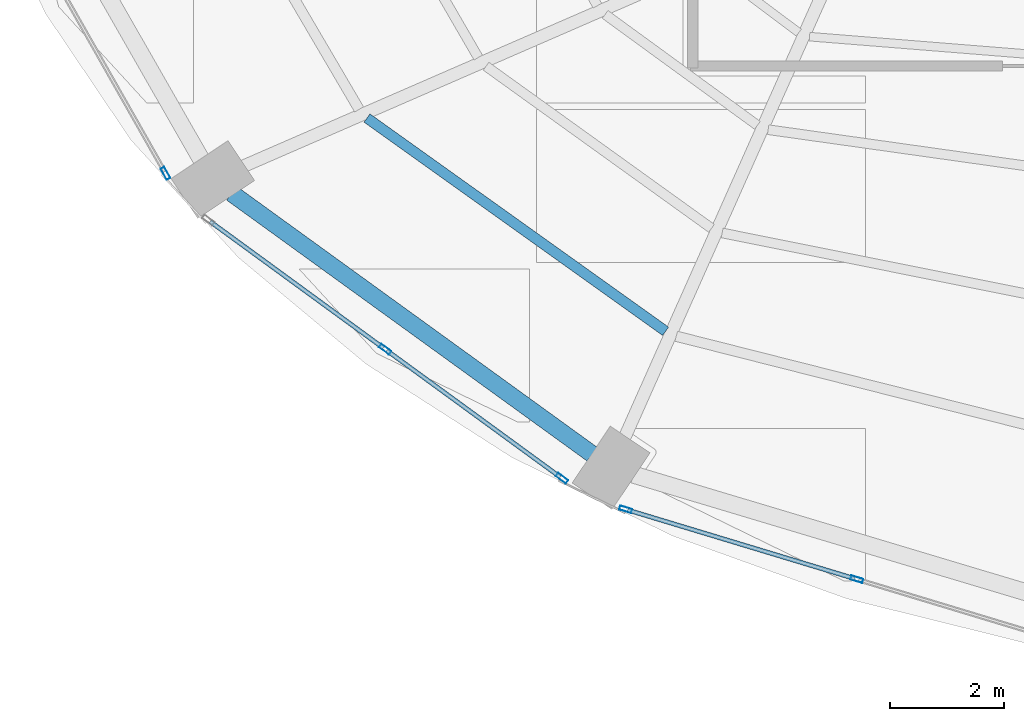
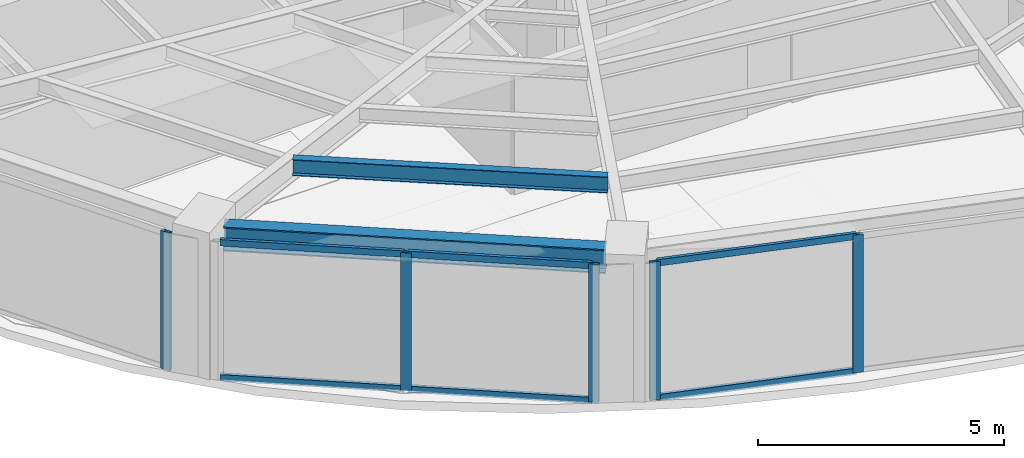
# One storey, part 2 of 24: 11 members, 2 beams, 3 elements without a shape of their own.
"""IFC4 building model written with IfcOpenShell, lengths in metres."""

from ifc_helpers import new_model, si_unit, direction, frame, origin, origin_2d, place, context, subcontext, project, spatial, hollow_rectangle, i_section, extrude, material, layer, layer_set, material_profile, profile_set, type_object, element, aggregate, save


model = new_model("IFC4")

# Units and contexts
model_context = context("Model", 3, precision=1e-05, world=origin(), true_north=direction((0.0, 1.0)))
body_context = subcontext(model_context, "Body", "Model", "MODEL_VIEW")
ifc_project = project(units=[si_unit("LENGTHUNIT", "METRE"), si_unit("AREAUNIT", "SQUARE_METRE"), si_unit("VOLUMEUNIT", "CUBIC_METRE"), si_unit("PLANEANGLEUNIT", "RADIAN"), si_unit("MASSUNIT", "GRAM", prefix="KILO")], contexts=[model_context])

# Site, building, storey
site_placement = place(None, origin())
site = spatial("IfcSite", under=ifc_project, at=site_placement, CompositionType="ELEMENT")
building_placement = place(site_placement, origin())
building = spatial("IfcBuilding", under=site, at=building_placement, Name="Lazwardi Medical Tower", CompositionType="ELEMENT")
storey_placement = place(building_placement, frame((0.0, 0.0, 96.3359375)))
storey = spatial("IfcBuildingStorey", under=building, at=storey_placement, Name="L24", CompositionType="ELEMENT", Elevation=96.3359375)

# Beams
ifc_material_1 = material(Name="Steel S355", Category="steel")
ifc_material_profile_1 = material_profile(ifc_material_1, i_section(OverallWidth=0.300048828125, OverallDepth=0.60009765625, WebThickness=0.015380859375, FlangeThickness=0.030029296875, at=origin_2d()), Name="HEB 600")
ifc_profile_set_1 = profile_set([ifc_material_profile_1], Name="Steel S355")
beam_type_1 = type_object("IfcBeamType", Name="BM-RB-Z2", PredefinedType="BEAM", material=ifc_profile_set_1)
beam_1_placement = place(storey_placement, frame((15.25439453125, 15.164794921875, 3.128173828125), z_axis=(0.81005674773, -0.586351486275, 0.0), x_axis=(0.586351486275, 0.81005674773, 0.0)))
element("IfcBeam", 1, at=beam_1_placement, inside=storey, type_object=beam_type_1, Name="Ring beam RB-03 B14 L24", PredefinedType="BEAM", context=body_context, shape_type="SweptSolid", body=[
    extrude(i_section(OverallWidth=0.300048828125, OverallDepth=0.60009765625, WebThickness=0.015380859375, FlangeThickness=0.030029296875, at=origin_2d()), origin(), (0.0, 0.0, 1.0), 7.81396484375),
])
ifc_material_profile_2 = material_profile(ifc_material_1, i_section(OverallWidth=0.179931640625, OverallDepth=0.39990234375, WebThickness=0.008544921875, FlangeThickness=0.013427734375, at=origin_2d()), Name="IPE 400")
ifc_profile_set_2 = profile_set([ifc_material_profile_2], Name="Steel S355")
beam_type_2 = type_object("IfcBeamType", Name="BM-SJ-01", PredefinedType="JOIST", material=ifc_profile_set_2)
beam_2_placement = place(storey_placement, frame((17.630615234375, 16.485595703125, 3.22802734375), z_axis=(0.813748834317, -0.581216684763, 0.0), x_axis=(0.581216684763, 0.813748834317, 0.0)))
element("IfcBeam", 2, at=beam_2_placement, inside=storey, type_object=beam_type_2, Name="Secondary joist SJ-01 R1 B14 L24", PredefinedType="JOIST", context=body_context, shape_type="SweptSolid", body=[
    extrude(i_section(OverallWidth=0.179931640625, OverallDepth=0.39990234375, WebThickness=0.008544921875, FlangeThickness=0.013427734375, at=origin_2d()), origin(), (0.0, 0.0, 1.0), 6.4423828125),
])

# Curtain wall, member
ifc_material_2 = material(Name="Anodised bronze aluminium and solar control glazing", Category="aluminium")
ifc_layer = layer(ifc_material_2, 0.195068359375)
ifc_layer_set = layer_set([ifc_layer], Name="Anodised bronze aluminium and solar control glazing")
curtain_wall_type = type_object("IfcCurtainWallType", Name="CW-SYS-03", PredefinedType="NOTDEFINED", material=ifc_layer_set)
curtain_wall_1_placement = place(storey_placement, origin())
curtain_wall_1 = element("IfcCurtainWall", 3, at=curtain_wall_1_placement, inside=storey, type_object=curtain_wall_type, Name="L24 Unitised bronze curtain wall CW-03", PredefinedType="NOTDEFINED")
ifc_material_3 = material(Name="Anodised bronze aluminium", Category="aluminium")
ifc_material_profile_3 = material_profile(ifc_material_3, hollow_rectangle(XDim=0.074951171875, YDim=0.219970703125, WallThickness=0.00390625, at=origin_2d()), Name="ALU-MULLION 220x75x4")
ifc_profile_set_3 = profile_set([ifc_material_profile_3], Name="Anodised bronze aluminium")
member_type_1 = type_object("IfcMemberType", Name="CW-MUL-01", PredefinedType="MULLION", material=ifc_profile_set_3)
member_1_placement = place(storey_placement, frame((14.0927734375, 15.51416015625, 0.0), z_axis=(0.0, 0.0, 1.0), x_axis=(0.869687265712, 0.493603140041, 0.0)))
member_1 = element("IfcMember", 4, at=member_1_placement, type_object=member_type_1, Name="CW-03 mullion 2", PredefinedType="MULLION", context=body_context, shape_type="SweptSolid", body=[
    extrude(hollow_rectangle(XDim=0.074951171875, YDim=0.219970703125, WallThickness=0.00390625, at=origin_2d()), origin(), (0.0, 0.0, 1.0), 3.427978515625),
])
aggregate(curtain_wall_1, [member_1])

# Curtain wall, members
curtain_wall_2_placement = place(storey_placement, origin())
curtain_wall_2 = element("IfcCurtainWall", 5, at=curtain_wall_2_placement, inside=storey, type_object=curtain_wall_type, Name="L24 Unitised bronze curtain wall CW-03", PredefinedType="NOTDEFINED")
member_2_placement = place(storey_placement, frame((17.948974609375, 12.42578125, 0.0), z_axis=(0.0, 0.0, 1.0), x_axis=(0.589530882802, 0.807745837639, 0.0)))
member_2 = element("IfcMember", 6, at=member_2_placement, type_object=member_type_1, Name="CW-03 mullion 2", PredefinedType="MULLION", context=body_context, shape_type="SweptSolid", body=[
    extrude(hollow_rectangle(XDim=0.074951171875, YDim=0.219970703125, WallThickness=0.00390625, at=origin_2d()), origin(), (0.0, 0.0, 1.0), 3.427978515625),
])
member_3_placement = place(storey_placement, frame((21.052734375, 10.160400390625, 0.0), z_axis=(0.0, 0.0, 1.0), x_axis=(0.589530882802, 0.807745837639, 0.0)))
member_3 = element("IfcMember", 7, at=member_3_placement, type_object=member_type_1, Name="CW-03 mullion 3", PredefinedType="MULLION", context=body_context, shape_type="SweptSolid", body=[
    extrude(hollow_rectangle(XDim=0.074951171875, YDim=0.219970703125, WallThickness=0.00390625, at=origin_2d()), origin(), (0.0, 0.0, 1.0), 3.427978515625),
])

curtain_wall_3_placement = place(storey_placement, origin())
curtain_wall_3 = element("IfcCurtainWall", 8, at=curtain_wall_3_placement, inside=storey, type_object=curtain_wall_type, Name="L24 Unitised bronze curtain wall CW-03", PredefinedType="NOTDEFINED")
member_4_placement = place(storey_placement, frame((22.171630859375, 9.614013671875, 0.0), z_axis=(0.0, 0.0, 1.0), x_axis=(0.28937381157, 0.957216170558, 0.0)))
member_4 = element("IfcMember", 9, at=member_4_placement, type_object=member_type_1, Name="CW-03 mullion 1", PredefinedType="MULLION", context=body_context, shape_type="SweptSolid", body=[
    extrude(hollow_rectangle(XDim=0.074951171875, YDim=0.219970703125, WallThickness=0.00390625, at=origin_2d()), origin(), (0.0, 0.0, 1.0), 3.427978515625),
])
member_5_placement = place(storey_placement, frame((26.230712890625, 8.386962890625, 0.0), z_axis=(0.0, 0.0, 1.0), x_axis=(0.28937381157, 0.957216170558, 0.0)))
member_5 = element("IfcMember", 10, at=member_5_placement, type_object=member_type_1, Name="CW-03 mullion 2", PredefinedType="MULLION", context=body_context, shape_type="SweptSolid", body=[
    extrude(hollow_rectangle(XDim=0.074951171875, YDim=0.219970703125, WallThickness=0.00390625, at=origin_2d()), origin(), (0.0, 0.0, 1.0), 3.427978515625),
])

# Member
ifc_material_profile_4 = material_profile(ifc_material_3, hollow_rectangle(XDim=0.074951171875, YDim=0.159912109375, WallThickness=0.00390625, at=origin_2d()), Name="ALU-TRANSOM 160x75x4")
ifc_profile_set_4 = profile_set([ifc_material_profile_4], Name="Anodised bronze aluminium")
member_type_2 = type_object("IfcMemberType", Name="CW-TRN-01", PredefinedType="USERDEFINED", material=ifc_profile_set_4)
member_6_placement = place(storey_placement, frame((14.87548828125, 14.6689453125, 0.03759765625), z_axis=(0.807731734271, -0.589550206049, 0.0), x_axis=(0.589550206049, 0.807731734271, 0.0)))
member_6 = element("IfcMember", 11, at=member_6_placement, type_object=member_type_2, Name="CW-03 transom 1.1", ObjectType="TRANSOM", PredefinedType="USERDEFINED", context=body_context, shape_type="SweptSolid", body=[
    extrude(hollow_rectangle(XDim=0.074951171875, YDim=0.159912109375, WallThickness=0.00390625, at=origin_2d()), origin(), (0.0, 0.0, 1.0), 3.767578125),
])

member_7_placement = place(storey_placement, frame((14.87548828125, 14.6689453125, 3.390625), z_axis=(0.807731734271, -0.589550206049, 0.0), x_axis=(0.589550206049, 0.807731734271, 0.0)))
member_7 = element("IfcMember", 12, at=member_7_placement, type_object=member_type_2, Name="CW-03 transom 1.2", ObjectType="TRANSOM", PredefinedType="USERDEFINED", context=body_context, shape_type="SweptSolid", body=[
    extrude(hollow_rectangle(XDim=0.074951171875, YDim=0.159912109375, WallThickness=0.00390625, at=origin_2d()), origin(), (0.0, 0.0, 1.0), 3.767578125),
])

member_8_placement = place(storey_placement, frame((17.979248046875, 12.403564453125, 0.03759765625), z_axis=(0.80776259199, -0.58950792614, 0.0), x_axis=(0.58950792614, 0.80776259199, 0.0)))
member_8 = element("IfcMember", 13, at=member_8_placement, type_object=member_type_2, Name="CW-03 transom 2.1", ObjectType="TRANSOM", PredefinedType="USERDEFINED", context=body_context, shape_type="SweptSolid", body=[
    extrude(hollow_rectangle(XDim=0.074951171875, YDim=0.159912109375, WallThickness=0.00390625, at=origin_2d()), origin(), (0.0, 0.0, 1.0), 3.767578125),
])

member_9_placement = place(storey_placement, frame((17.979248046875, 12.403564453125, 3.390625), z_axis=(0.80776259199, -0.58950792614, 0.0), x_axis=(0.58950792614, 0.80776259199, 0.0)))
member_9 = element("IfcMember", 14, at=member_9_placement, type_object=member_type_2, Name="CW-03 transom 2.2", ObjectType="TRANSOM", PredefinedType="USERDEFINED", context=body_context, shape_type="SweptSolid", body=[
    extrude(hollow_rectangle(XDim=0.074951171875, YDim=0.159912109375, WallThickness=0.00390625, at=origin_2d()), origin(), (0.0, 0.0, 1.0), 3.767578125),
])

aggregate(curtain_wall_2, [member_2, member_3, member_6, member_7, member_8, member_9])

member_10_placement = place(storey_placement, frame((22.20751953125, 9.603271484375, 0.03759765625), z_axis=(0.957204630929, -0.289411980623, 0.0), x_axis=(0.289411980623, 0.957204630929, 0.0)))
member_10 = element("IfcMember", 15, at=member_10_placement, type_object=member_type_2, Name="CW-03 transom 1.1", ObjectType="TRANSOM", PredefinedType="USERDEFINED", context=body_context, shape_type="SweptSolid", body=[
    extrude(hollow_rectangle(XDim=0.074951171875, YDim=0.159912109375, WallThickness=0.00390625, at=origin_2d()), origin(), (0.0, 0.0, 1.0), 4.16552734375),
])

member_11_placement = place(storey_placement, frame((22.20751953125, 9.603271484375, 3.390625), z_axis=(0.957204630929, -0.289411980623, 0.0), x_axis=(0.289411980623, 0.957204630929, 0.0)))
member_11 = element("IfcMember", 16, at=member_11_placement, type_object=member_type_2, Name="CW-03 transom 1.2", ObjectType="TRANSOM", PredefinedType="USERDEFINED", context=body_context, shape_type="SweptSolid", body=[
    extrude(hollow_rectangle(XDim=0.074951171875, YDim=0.159912109375, WallThickness=0.00390625, at=origin_2d()), origin(), (0.0, 0.0, 1.0), 4.16552734375),
])

aggregate(curtain_wall_3, [member_4, member_5, member_10, member_11])

save(model, "model.ifc")
